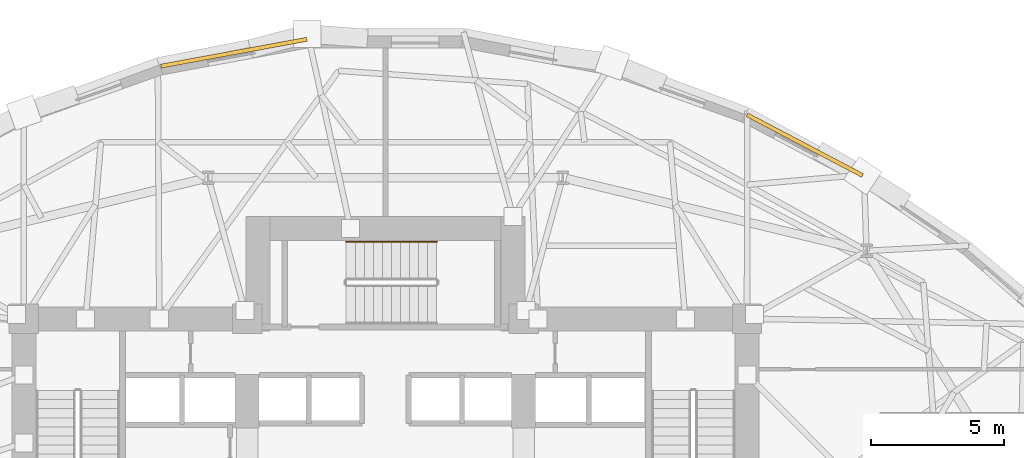
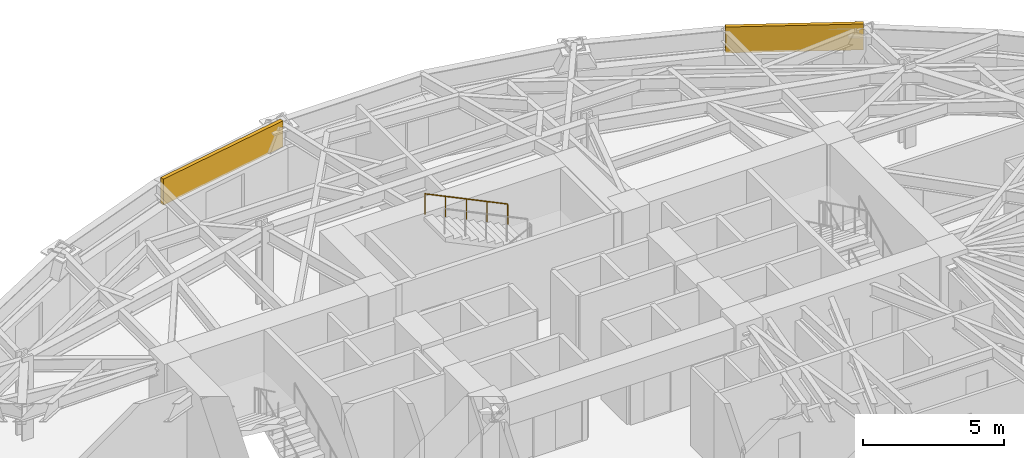
# One storey, part 14 of 14: 2 coverings, 1 railing.
"""IFC4 building model written with IfcOpenShell, lengths in metres."""

from ifc_helpers import new_model, si_unit, direction, frame, origin, origin_2d, place, context, subcontext, project, spatial, rectangle, circle, extrude, material, layer, layer_set, type_object, element, save


model = new_model("IFC4")

# Units and contexts
model_context = context("Model", 3, precision=1e-05, world=origin(), true_north=direction((0.0, 1.0)))
body_context = subcontext(model_context, "Body", "Model", "MODEL_VIEW")
ifc_project = project(units=[si_unit("LENGTHUNIT", "METRE"), si_unit("AREAUNIT", "SQUARE_METRE"), si_unit("VOLUMEUNIT", "CUBIC_METRE"), si_unit("PLANEANGLEUNIT", "RADIAN"), si_unit("MASSUNIT", "GRAM", prefix="KILO")], contexts=[model_context])

# Site, building, storey
site_placement = place(None, origin())
site = spatial("IfcSite", under=ifc_project, at=site_placement, CompositionType="ELEMENT")
building_placement = place(site_placement, origin())
building = spatial("IfcBuilding", under=site, at=building_placement, Name="Keldmark Tower", CompositionType="ELEMENT")
storey_placement = place(building_placement, frame((0.0, 0.0, 66.60009765625)))
storey = spatial("IfcBuildingStorey", under=building, at=storey_placement, Name="L17", CompositionType="ELEMENT", Elevation=66.60009765625)

# Coverings
ifc_material_1 = material(Name="Honed Kasota Buff Dolomitic Limestone", Category="masonry")
ifc_layer = layer(ifc_material_1, 0.074951171875)
ifc_layer_set = layer_set([ifc_layer], Name="Honed Kasota Buff Dolomitic Limestone")
covering_type = type_object("IfcCoveringType", Name="Kasota Buff Limestone Spandrel Cladding Band", PredefinedType="CLADDING", material=ifc_layer_set)
covering_1_placement = place(storey_placement, frame((15.77294921875, 15.98486328125, 2.452880859375), z_axis=(0.0, 0.0, 1.0), x_axis=(-0.884938873572, 0.465707193461, 0.0)))
element("IfcCovering", 1, at=covering_1_placement, inside=storey, type_object=covering_type, Name="L17 Kasota Limestone Spandrel Band 05", PredefinedType="CLADDING", context=body_context, shape_type="SweptSolid", body=[
    extrude(rectangle(XDim=4.906494140625, YDim=0.14990234375, at=origin_2d()), origin(), (0.0, 0.0, 1.0), 1.126953125),
])
covering_2_placement = place(storey_placement, frame((-5.70068359375, 19.460205078125, 2.452880859375), z_axis=(0.0, 0.0, 1.0), x_axis=(-0.983473656597, -0.181051282181, 0.0)))
element("IfcCovering", 2, at=covering_2_placement, inside=storey, type_object=covering_type, Name="L17 Kasota Limestone Spandrel Band 09", PredefinedType="CLADDING", context=body_context, shape_type="SweptSolid", body=[
    extrude(rectangle(XDim=5.580322265625, YDim=0.14990234375, at=origin_2d()), origin(), (0.0, 0.0, 1.0), 1.126953125),
])

# Railing
ifc_material_2 = material(Name="Stainless Steel AISI 316L", Category="steel")
railing_type = type_object("IfcRailingType", Name="Stainless Steel Stair Handrail 900 mm", PredefinedType="HANDRAIL", material=ifc_material_2)
railing_placement = place(storey_placement, frame((1.925048828125, 12.35009765625, 1.963623046875)))
element("IfcRailing", 3, at=railing_placement, inside=storey, type_object=railing_type, Name="L17 ST3 stair handrail 2", PredefinedType="HANDRAIL", context=body_context, shape_type="SweptSolid", body=[
    extrude(circle(Radius=0.02392578125, at=origin_2d()), frame((0.0, 0.0, 0.8759765625), z_axis=(-0.901092505359, 0.0, 0.433626909666), x_axis=(0.0, -1.0, 0.0)), (0.0, 0.0, 1.0), 3.7734375),
    extrude(circle(Radius=0.02099609375, at=origin_2d()), origin(), (0.0, 0.0, 1.0), 0.851806640625),
    extrude(circle(Radius=0.02099609375, at=origin_2d()), frame((-0.85009765625, 0.0, 0.4091796875)), (0.0, 0.0, 1.0), 0.851806640625),
    extrude(circle(Radius=0.02099609375, at=origin_2d()), frame((-1.7001953125, 0.0, 0.818115234375)), (0.0, 0.0, 1.0), 0.851806640625),
    extrude(circle(Radius=0.02099609375, at=origin_2d()), frame((-2.550048828125, 0.0, 1.22705078125)), (0.0, 0.0, 1.0), 0.851806640625),
    extrude(circle(Radius=0.02099609375, at=origin_2d()), frame((-3.400146484375, 0.0, 1.63623046875)), (0.0, 0.0, 1.0), 0.851806640625),
])

save(model, "model.ifc")
